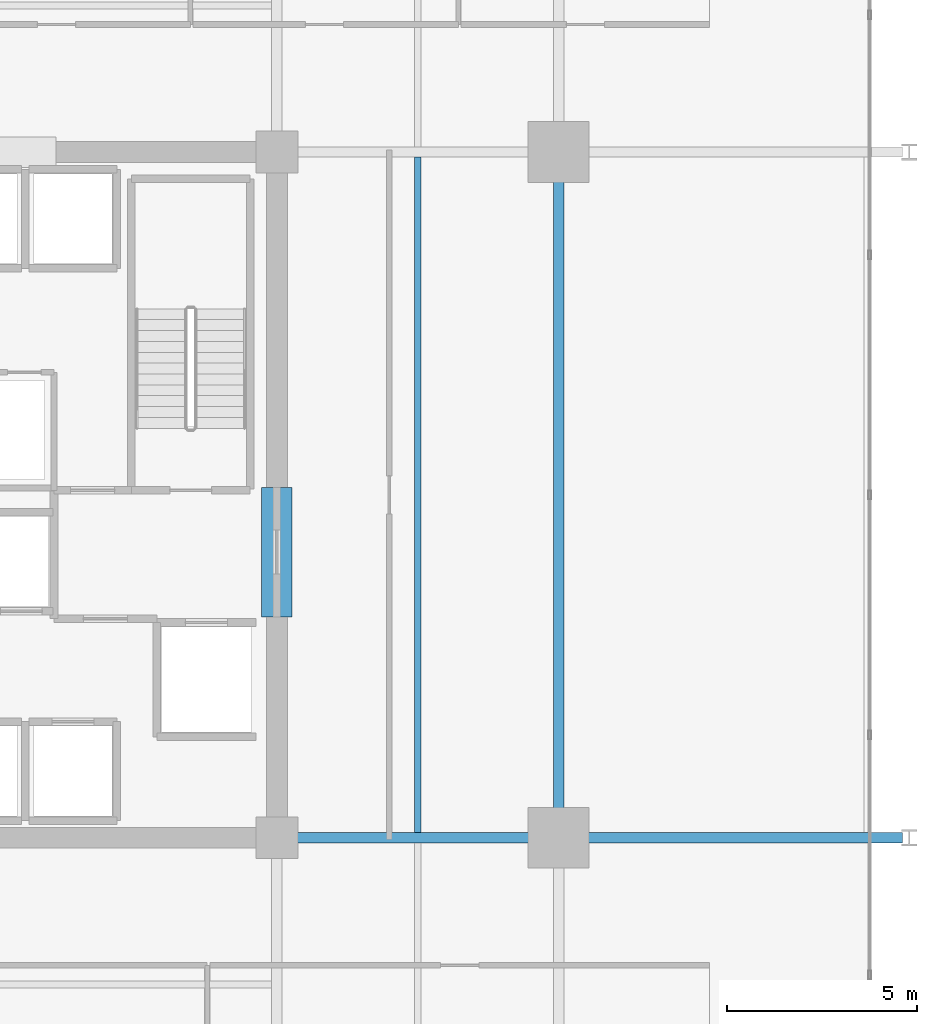
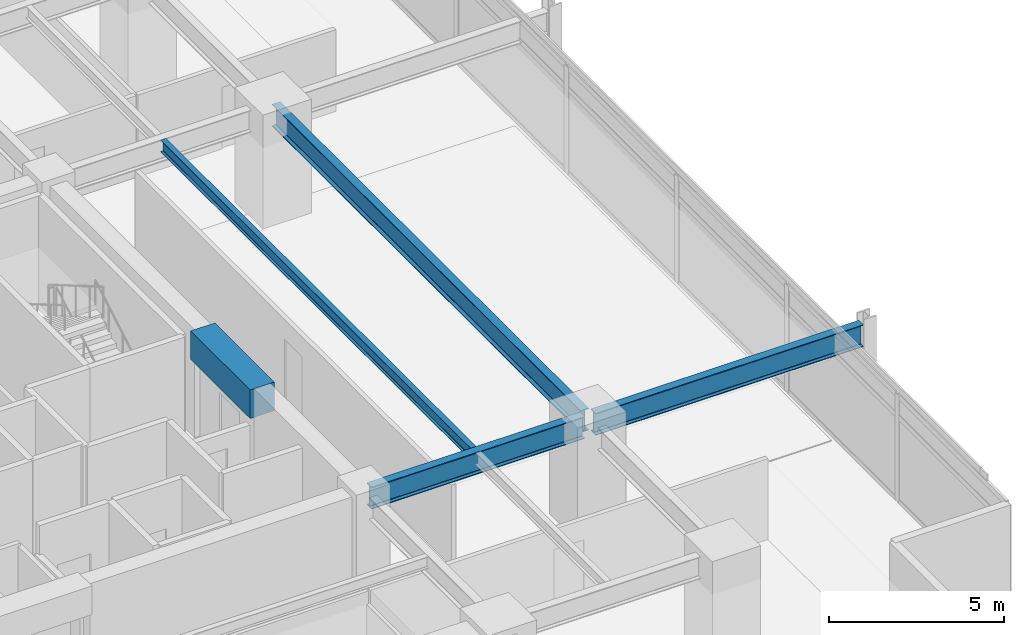
# One storey, part 9 of 23: 5 beams.
"""IFC4 building model written with IfcOpenShell, lengths in metres."""

from ifc_helpers import new_model, si_unit, direction, frame, origin, origin_2d, place, context, subcontext, project, spatial, rectangle, i_section, extrude, material, material_profile, profile_set, type_object, element, save


model = new_model("IFC4")

# Units and contexts
model_context = context("Model", 3, precision=1e-05, world=origin(), true_north=direction((0.0, 1.0)))
body_context = subcontext(model_context, "Body", "Model", "MODEL_VIEW")
ifc_project = project(units=[si_unit("LENGTHUNIT", "METRE"), si_unit("AREAUNIT", "SQUARE_METRE"), si_unit("VOLUMEUNIT", "CUBIC_METRE"), si_unit("PLANEANGLEUNIT", "RADIAN"), si_unit("MASSUNIT", "GRAM", prefix="KILO")], contexts=[model_context])

# Site, building, storey
site_placement = place(None, origin())
site = spatial("IfcSite", under=ifc_project, at=site_placement, CompositionType="ELEMENT")
building_placement = place(site_placement, origin())
building = spatial("IfcBuilding", under=site, at=building_placement, Name="Kovane Verandah Tower", CompositionType="ELEMENT")
storey_placement = place(building_placement, frame((0.0, 0.0, 148.39990234375)))
storey = spatial("IfcBuildingStorey", under=building, at=storey_placement, Name="L34", CompositionType="ELEMENT", Elevation=148.39990234375)

# Beams
ifc_material_1 = material(Name="Concrete C60/75", Category="concrete")
ifc_material_profile_1 = material_profile(ifc_material_1, rectangle(XDim=0.800048828125, YDim=1.0, at=origin_2d()), Name="RCB800x1000")
ifc_profile_set_1 = profile_set([ifc_material_profile_1], Name="Concrete C60/75")
beam_type_1 = type_object("IfcBeamType", Name="BM-LINTEL-800x1000", PredefinedType="LINTEL", material=ifc_profile_set_1)
beam_1_placement = place(storey_placement, frame((51.0, 24.300048828125, 3.275146484375), z_axis=(0.0, 1.0, 0.0), x_axis=(-1.0, 0.0, 0.0)))
element("IfcBeam", 1, at=beam_1_placement, inside=storey, type_object=beam_type_1, Name="L34 Core Coupling Lintel CL-E", PredefinedType="LINTEL", context=body_context, shape_type="SweptSolid", body=[
    extrude(rectangle(XDim=0.800048828125, YDim=1.0, at=origin_2d()), origin(), (0.0, 0.0, 1.0), 3.39990234375),
])
ifc_material_2 = material(Name="Steel S355", Category="steel")
ifc_material_profile_2 = material_profile(ifc_material_2, i_section(OverallWidth=0.26806640625, OverallDepth=0.769775390625, WebThickness=0.015625, FlangeThickness=0.025390625, FilletRadius=0.0166015625, at=origin_2d()), Name="UB762x267x197")
ifc_profile_set_2 = profile_set([ifc_material_profile_2], Name="Steel S355")
beam_type_2 = type_object("IfcBeamType", Name="BM-UB762x197", PredefinedType="BEAM", material=ifc_profile_set_2)
beam_2_placement = place(storey_placement, frame((58.39990234375, 18.679931640625, 3.39013671875), z_axis=(0.0, 1.0, 0.0), x_axis=(-1.0, 0.0, 0.0)))
element("IfcBeam", 2, at=beam_2_placement, inside=storey, type_object=beam_type_2, Name="L34 Primary Tower Girder G-RE2", PredefinedType="BEAM", context=body_context, shape_type="SweptSolid", body=[
    extrude(i_section(OverallWidth=0.26806640625, OverallDepth=0.769775390625, WebThickness=0.015625, FlangeThickness=0.025390625, FilletRadius=0.0166015625, at=origin_2d()), origin(), (0.0, 0.0, 1.0), 17.64013671875),
])
beam_3_placement = place(storey_placement, frame((51.179931640625, 18.5, 3.39013671875), z_axis=(1.0, 0.0, 0.0), x_axis=(0.0, 1.0, 0.0)))
element("IfcBeam", 3, at=beam_3_placement, inside=storey, type_object=beam_type_2, Name="L34 Primary Tower Girder G-E1", PredefinedType="BEAM", context=body_context, shape_type="SweptSolid", body=[
    extrude(i_section(OverallWidth=0.26806640625, OverallDepth=0.769775390625, WebThickness=0.015625, FlangeThickness=0.025390625, FilletRadius=0.0166015625, at=origin_2d()), origin(), (0.0, 0.0, 1.0), 7.0400390625),
])
beam_4_placement = place(storey_placement, frame((58.580078125, 18.5, 3.375244140625), z_axis=(1.0, 0.0, 0.0), x_axis=(0.0, 1.0, 0.0)))
element("IfcBeam", 4, at=beam_4_placement, inside=storey, type_object=beam_type_2, Name="L34 Primary Tower Girder G-VE1", PredefinedType="BEAM", context=body_context, shape_type="SweptSolid", body=[
    extrude(i_section(OverallWidth=0.26806640625, OverallDepth=0.769775390625, WebThickness=0.015625, FlangeThickness=0.025390625, FilletRadius=0.0166015625, at=origin_2d()), origin(), (0.0, 0.0, 1.0), 8.83984375),
])
ifc_material_profile_3 = material_profile(ifc_material_2, i_section(OverallWidth=0.179443359375, OverallDepth=0.412841796875, WebThickness=0.009521484375, FlangeThickness=0.01611328125, FilletRadius=0.01025390625, at=origin_2d()), Name="UB406x178x74")
ifc_profile_set_3 = profile_set([ifc_material_profile_3], Name="Steel S355")
beam_type_3 = type_object("IfcBeamType", Name="JST-UB406x74", PredefinedType="JOIST", material=ifc_profile_set_3)
beam_5_placement = place(storey_placement, frame((54.699951171875, 18.632080078125, 3.568603515625), z_axis=(0.0, 1.0, 0.0), x_axis=(-1.0, 0.0, 0.0)))
element("IfcBeam", 5, at=beam_5_placement, inside=storey, type_object=beam_type_3, Name="L34 Secondary Composite Joist J-E1", PredefinedType="JOIST", context=body_context, shape_type="SweptSolid", body=[
    extrude(i_section(OverallWidth=0.179443359375, OverallDepth=0.412841796875, WebThickness=0.009521484375, FlangeThickness=0.01611328125, FilletRadius=0.01025390625, at=origin_2d()), origin(), (0.0, 0.0, 1.0), 17.73583984375),
])

save(model, "model.ifc")
